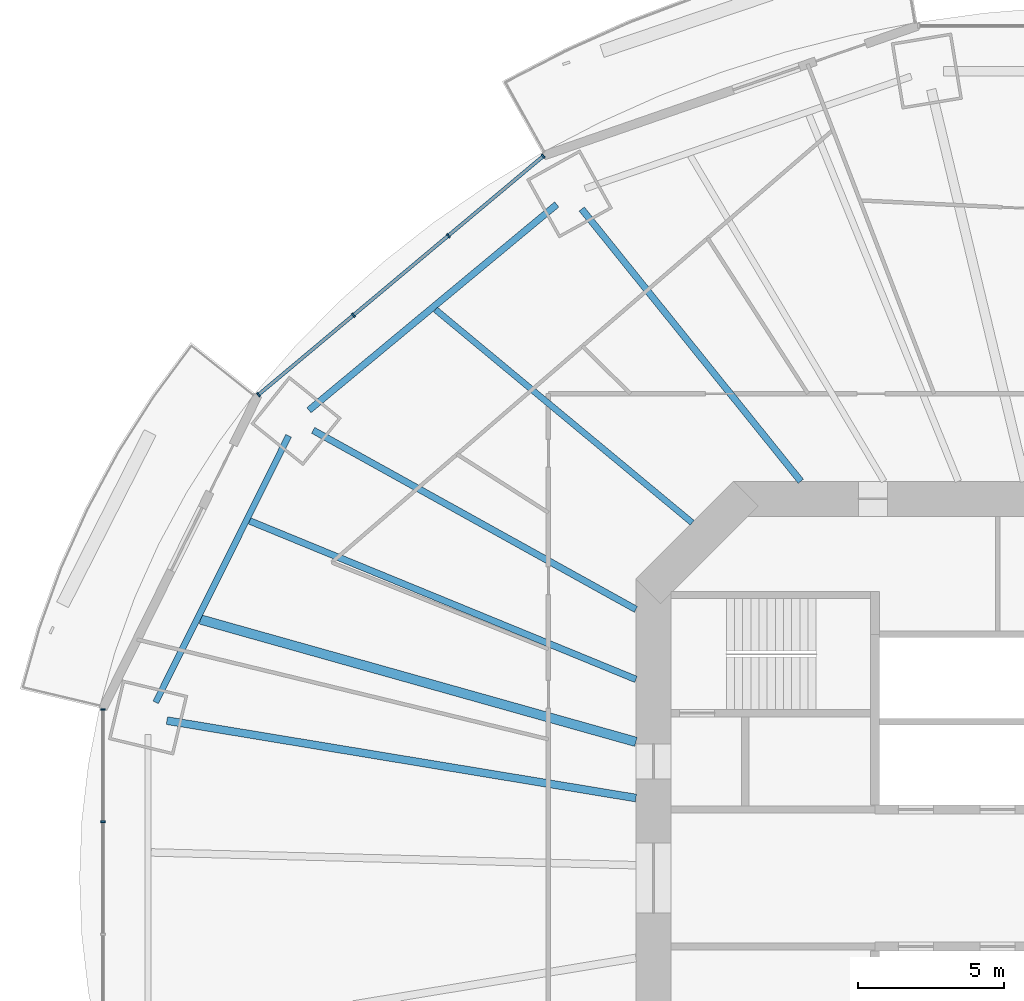
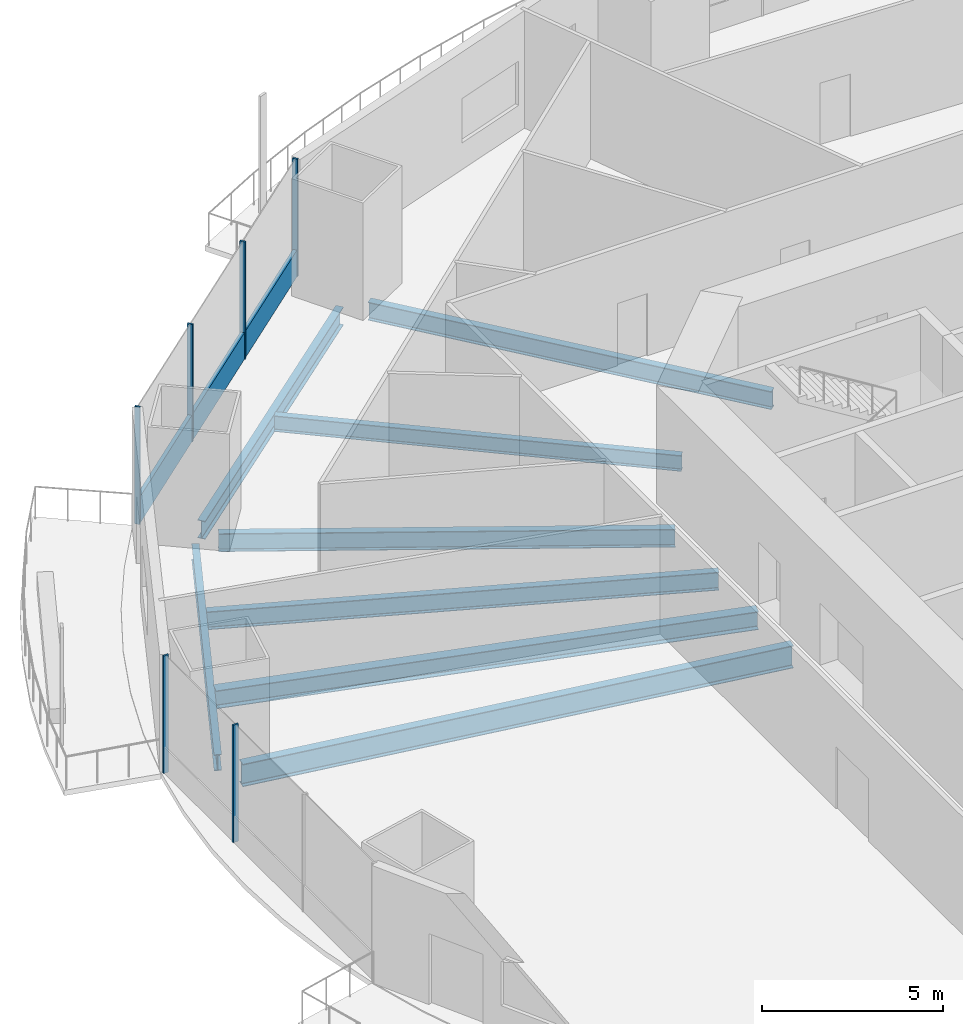
# One storey, part 6 of 22: 8 beams, 7 members, 2 elements without a shape of their own.
"""IFC4 building model written with IfcOpenShell, lengths in metres."""

from ifc_helpers import new_model, si_unit, direction, frame, origin, origin_2d, place, context, subcontext, project, spatial, rectangle, i_section, extrude, material, material_profile, profile_set, type_object, element, aggregate, save


model = new_model("IFC4")

# Units and contexts
model_context = context("Model", 3, precision=1e-05, world=origin(), true_north=direction((0.0, 1.0)))
body_context = subcontext(model_context, "Body", "Model", "MODEL_VIEW")
ifc_project = project(units=[si_unit("LENGTHUNIT", "METRE"), si_unit("AREAUNIT", "SQUARE_METRE"), si_unit("VOLUMEUNIT", "CUBIC_METRE"), si_unit("PLANEANGLEUNIT", "RADIAN"), si_unit("MASSUNIT", "GRAM", prefix="KILO")], contexts=[model_context])

# Site, building, storey
site_placement = place(None, origin())
site = spatial("IfcSite", under=ifc_project, at=site_placement, CompositionType="ELEMENT")
building_placement = place(site_placement, origin())
building = spatial("IfcBuilding", under=site, at=building_placement, Name="Marenthal Gate Tower", CompositionType="ELEMENT")
storey_placement = place(building_placement, frame((0.0, 0.0, 70.35009765625)))
storey = spatial("IfcBuildingStorey", under=building, at=storey_placement, Name="L13", CompositionType="ELEMENT", Elevation=70.35009765625)

# Curtain wall, members
ifc_material_1 = material(Name="Aluminium and glass", Category="aluminium")
curtain_wall_type = type_object("IfcCurtainWallType", Name="Curtain wall typical low", PredefinedType="NOTDEFINED", material=ifc_material_1)
curtain_wall_1_placement = place(storey_placement, origin())
curtain_wall_1 = element("IfcCurtainWall", 1, at=curtain_wall_1_placement, inside=storey, type_object=curtain_wall_type, Name="Curtain wall L13 bay 6", PredefinedType="NOTDEFINED")
ifc_material_2 = material(Name="Aluminium", Category="aluminium")
ifc_material_profile_1 = material_profile(ifc_material_2, rectangle(XDim=0.159912109375, YDim=0.06005859375, at=origin_2d()), Name="60x160 aluminium mullion")
ifc_profile_set_1 = profile_set([ifc_material_profile_1], Name="Aluminium")
member_type_1 = type_object("IfcMemberType", Name="Mullion 60x160 typical low", PredefinedType="MULLION", material=ifc_profile_set_1)
member_1_placement = place(storey_placement, frame((-19.775146484375, 24.7451171875, 0.0), z_axis=(0.0, 0.0, 1.0), x_axis=(0.642176178992, -0.76655707885, 0.0)))
member_1 = element("IfcMember", 2, at=member_1_placement, type_object=member_type_1, Name="Mullion L13 bay 6.1", PredefinedType="MULLION", context=body_context, shape_type="SweptSolid", body=[
    extrude(rectangle(XDim=0.159912109375, YDim=0.06005859375, at=origin_2d()), origin(), (0.0, 0.0, 1.0), 3.969970703125),
])
member_2_placement = place(storey_placement, frame((-23.029541015625, 22.01904296875, 0.0), z_axis=(0.0, 0.0, 1.0), x_axis=(0.642176178992, -0.76655707885, 0.0)))
member_2 = element("IfcMember", 3, at=member_2_placement, type_object=member_type_1, Name="Mullion L13 bay 6.2", PredefinedType="MULLION", context=body_context, shape_type="SweptSolid", body=[
    extrude(rectangle(XDim=0.159912109375, YDim=0.06005859375, at=origin_2d()), origin(), (0.0, 0.0, 1.0), 3.969970703125),
])
member_3_placement = place(storey_placement, frame((-26.283935546875, 19.292724609375, 0.0), z_axis=(0.0, 0.0, 1.0), x_axis=(0.642176178992, -0.76655707885, 0.0)))
member_3 = element("IfcMember", 4, at=member_3_placement, type_object=member_type_1, Name="Mullion L13 bay 6.3", PredefinedType="MULLION", context=body_context, shape_type="SweptSolid", body=[
    extrude(rectangle(XDim=0.159912109375, YDim=0.06005859375, at=origin_2d()), origin(), (0.0, 0.0, 1.0), 3.969970703125),
])
member_4_placement = place(storey_placement, frame((-29.538330078125, 16.56640625, 0.0), z_axis=(0.0, 0.0, 1.0), x_axis=(0.642176178992, -0.76655707885, 0.0)))
member_4 = element("IfcMember", 5, at=member_4_placement, type_object=member_type_1, Name="Mullion L13 bay 6.4", PredefinedType="MULLION", context=body_context, shape_type="SweptSolid", body=[
    extrude(rectangle(XDim=0.159912109375, YDim=0.06005859375, at=origin_2d()), origin(), (0.0, 0.0, 1.0), 3.969970703125),
])

curtain_wall_2_placement = place(storey_placement, origin())
curtain_wall_2 = element("IfcCurtainWall", 6, at=curtain_wall_2_placement, inside=storey, type_object=curtain_wall_type, Name="Curtain wall L13 bay 8", PredefinedType="NOTDEFINED")
member_5_placement = place(storey_placement, frame((-34.869873046875, 5.780517578125, 0.0), z_axis=(0.0, 0.0, 1.0), x_axis=(1.0, 0.0, 0.0)))
member_5 = element("IfcMember", 7, at=member_5_placement, type_object=member_type_1, Name="Mullion L13 bay 8.1", PredefinedType="MULLION", context=body_context, shape_type="SweptSolid", body=[
    extrude(rectangle(XDim=0.159912109375, YDim=0.06005859375, at=origin_2d()), origin(), (0.0, 0.0, 1.0), 3.969970703125),
])
member_6_placement = place(storey_placement, frame((-34.869873046875, 1.927001953125, 0.0), z_axis=(0.0, 0.0, 1.0), x_axis=(1.0, 0.0, 0.0)))
member_6 = element("IfcMember", 8, at=member_6_placement, type_object=member_type_1, Name="Mullion L13 bay 8.2", PredefinedType="MULLION", context=body_context, shape_type="SweptSolid", body=[
    extrude(rectangle(XDim=0.159912109375, YDim=0.06005859375, at=origin_2d()), origin(), (0.0, 0.0, 1.0), 3.969970703125),
])
aggregate(curtain_wall_2, [member_5, member_6])

# Member
ifc_material_3 = material(Name="Aluminium", Category="aluminium")
ifc_material_profile_2 = material_profile(ifc_material_3, rectangle(XDim=0.1201171875, YDim=0.89990234375, at=origin_2d()), Name="120x900 aluminium transom")
ifc_profile_set_2 = profile_set([ifc_material_profile_2], Name="Aluminium")
member_type_2 = type_object("IfcMemberType", Name="Transom 120x900 typical low", PredefinedType="USERDEFINED", material=ifc_profile_set_2)
member_7_placement = place(storey_placement, frame((-19.798095703125, 24.72607421875, 0.449951171875), z_axis=(-0.766556354324, -0.642177043849, 0.0), x_axis=(0.642177043849, -0.766556354324, 0.0)))
member_7 = element("IfcMember", 9, at=member_7_placement, type_object=member_type_2, Name="Transom L13 bay 6", ObjectType="TRANSOM", PredefinedType="USERDEFINED", context=body_context, shape_type="SweptSolid", body=[
    extrude(rectangle(XDim=0.1201171875, YDim=0.89990234375, at=origin_2d()), origin(), (0.0, 0.0, 1.0), 12.67626953125),
])

aggregate(curtain_wall_1, [member_1, member_2, member_3, member_4, member_7])

# Beams
ifc_material_4 = material(Name="Steel S355", Category="steel")
ifc_material_profile_3 = material_profile(ifc_material_4, i_section(OverallWidth=0.2099609375, OverallDepth=0.535888671875, WebThickness=0.010986328125, FlangeThickness=0.017333984375, FilletRadius=0.0126953125, at=origin_2d()), Name="W530X101")
ifc_profile_set_3 = profile_set([ifc_material_profile_3], Name="Steel S355")
beam_type_1 = type_object("IfcBeamType", Name="W530X101 beam", PredefinedType="BEAM", material=ifc_profile_set_3)
beam_1_placement = place(storey_placement, frame((-23.47119140625, 19.485595703125, -0.447998046875), z_axis=(0.769402561639, -0.638764196041, 0.0), x_axis=(0.638764196041, 0.769402561639, 0.0)))
element("IfcBeam", 10, at=beam_1_placement, inside=storey, type_object=beam_type_1, Name="BM-L13-25", PredefinedType="BEAM", context=body_context, shape_type="SweptSolid", body=[
    extrude(i_section(OverallWidth=0.2099609375, OverallDepth=0.535888671875, WebThickness=0.010986328125, FlangeThickness=0.017333984375, FilletRadius=0.0126953125, at=origin_2d()), origin(), (0.0, 0.0, 1.0), 11.439208984375),
])
ifc_material_5 = material(Name="Steel S355", Category="steel")
ifc_material_profile_4 = material_profile(ifc_material_5, i_section(OverallWidth=0.2119140625, OverallDepth=0.5439453125, WebThickness=0.01318359375, FlangeThickness=0.021240234375, FilletRadius=0.0126953125, at=origin_2d()), Name="W530X123")
ifc_profile_set_4 = profile_set([ifc_material_profile_4], Name="Steel S355")
beam_type_2 = type_object("IfcBeamType", Name="W530X123 beam", PredefinedType="BEAM", material=ifc_profile_set_4)
beam_2_placement = place(storey_placement, frame((-28.504150390625, 15.155029296875, -0.4521484375), z_axis=(-0.446448228661, -0.894809465264, 0.0), x_axis=(0.894809465264, -0.446448228661, 0.0)))
element("IfcBeam", 11, at=beam_2_placement, inside=storey, type_object=beam_type_2, Name="BM-L13-47", PredefinedType="BEAM", context=body_context, shape_type="SweptSolid", body=[
    extrude(i_section(OverallWidth=0.2119140625, OverallDepth=0.5439453125, WebThickness=0.01318359375, FlangeThickness=0.021240234375, FilletRadius=0.0126953125, at=origin_2d()), origin(), (0.0, 0.0, 1.0), 10.209716796875),
])
ifc_material_6 = material(Name="Steel S355", Category="steel")
ifc_material_profile_5 = material_profile(ifc_material_6, i_section(OverallWidth=0.22900390625, OverallDepth=0.612060546875, WebThickness=0.011962890625, FlangeThickness=0.01953125, FilletRadius=0.0126953125, at=origin_2d()), Name="W610X125")
ifc_profile_set_5 = profile_set([ifc_material_profile_5], Name="Steel S355")
beam_type_3 = type_object("IfcBeamType", Name="W610X125 beam", PredefinedType="BEAM", material=ifc_profile_set_5)
beam_3_placement = place(storey_placement, frame((-18.456298828125, 22.93115234375, -0.486083984375), z_axis=(0.62700397479, -0.779016056059, 0.0), x_axis=(0.779016056059, 0.62700397479, 0.0)))
element("IfcBeam", 12, at=beam_3_placement, inside=storey, type_object=beam_type_3, Name="BM-L13-06", PredefinedType="BEAM", context=body_context, shape_type="SweptSolid", body=[
    extrude(i_section(OverallWidth=0.22900390625, OverallDepth=0.612060546875, WebThickness=0.011962890625, FlangeThickness=0.01953125, FilletRadius=0.0126953125, at=origin_2d()), origin(), (0.0, 0.0, 1.0), 11.97802734375),
])
beam_4_placement = place(storey_placement, frame((-27.6640625, 15.345703125, -0.486083984375), z_axis=(0.874465657006, -0.485087429972, 0.0), x_axis=(0.485087429972, 0.874465657006, 0.0)))
element("IfcBeam", 13, at=beam_4_placement, inside=storey, type_object=beam_type_3, Name="BM-L13-07", PredefinedType="BEAM", context=body_context, shape_type="SweptSolid", body=[
    extrude(i_section(OverallWidth=0.22900390625, OverallDepth=0.612060546875, WebThickness=0.011962890625, FlangeThickness=0.01953125, FilletRadius=0.0126953125, at=origin_2d()), origin(), (0.0, 0.0, 1.0), 12.65234375),
])
beam_5_placement = place(storey_placement, frame((-29.840087890625, 12.239990234375, -0.486083984375), z_axis=(0.925190275705, -0.379503562225, 0.0), x_axis=(0.379503562225, 0.925190275705, 0.0)))
element("IfcBeam", 14, at=beam_5_placement, inside=storey, type_object=beam_type_3, Name="BM-L13-26", PredefinedType="BEAM", context=body_context, shape_type="SweptSolid", body=[
    extrude(i_section(OverallWidth=0.22900390625, OverallDepth=0.612060546875, WebThickness=0.011962890625, FlangeThickness=0.01953125, FilletRadius=0.0126953125, at=origin_2d()), origin(), (0.0, 0.0, 1.0), 14.310546875),
])
beam_6_placement = place(storey_placement, frame((-19.311767578125, 23.087646484375, -0.486083984375), z_axis=(-0.769405168871, -0.638761055571, 0.0), x_axis=(0.638761055571, -0.769405168871, 0.0)))
element("IfcBeam", 15, at=beam_6_placement, inside=storey, type_object=beam_type_3, Name="BM-L13-46", PredefinedType="BEAM", context=body_context, shape_type="SweptSolid", body=[
    extrude(i_section(OverallWidth=0.22900390625, OverallDepth=0.612060546875, WebThickness=0.011962890625, FlangeThickness=0.01953125, FilletRadius=0.0126953125, at=origin_2d()), origin(), (0.0, 0.0, 1.0), 11.04248046875),
])
ifc_material_7 = material(Name="Steel S355", Category="steel")
ifc_material_profile_6 = material_profile(ifc_material_7, i_section(OverallWidth=0.324951171875, OverallDepth=0.612060546875, WebThickness=0.0126953125, FlangeThickness=0.01904296875, FilletRadius=0.0126953125, at=origin_2d()), Name="W610X155")
ifc_profile_set_6 = profile_set([ifc_material_profile_6], Name="Steel S355")
beam_type_4 = type_object("IfcBeamType", Name="W610X155 beam", PredefinedType="BEAM", material=ifc_profile_set_6)
beam_7_placement = place(storey_placement, frame((-31.525390625, 8.862060546875, -0.486083984375), z_axis=(0.962687612966, -0.270615150797, 0.0), x_axis=(0.270615150797, 0.962687612966, 0.0)))
element("IfcBeam", 16, at=beam_7_placement, inside=storey, type_object=beam_type_4, Name="BM-L13-27", PredefinedType="BEAM", context=body_context, shape_type="SweptSolid", body=[
    extrude(i_section(OverallWidth=0.324951171875, OverallDepth=0.612060546875, WebThickness=0.0126953125, FlangeThickness=0.01904296875, FilletRadius=0.0126953125, at=origin_2d()), origin(), (0.0, 0.0, 1.0), 15.503662109375),
])
ifc_material_8 = material(Name="Steel S355", Category="steel")
ifc_material_profile_7 = material_profile(ifc_material_8, i_section(OverallWidth=0.26708984375, OverallDepth=0.761962890625, WebThickness=0.014404296875, FlangeThickness=0.021484375, FilletRadius=0.0166015625, at=origin_2d()), Name="W760X173")
ifc_profile_set_7 = profile_set([ifc_material_profile_7], Name="Steel S355")
beam_type_5 = type_object("IfcBeamType", Name="W760X173 beam", PredefinedType="BEAM", material=ifc_profile_set_7)
beam_8_placement = place(storey_placement, frame((-32.676025390625, 5.39599609375, -0.56103515625), z_axis=(0.986637030798, -0.162933635137, 0.0), x_axis=(0.162933635137, 0.986637030798, 0.0)))
element("IfcBeam", 17, at=beam_8_placement, inside=storey, type_object=beam_type_5, Name="BM-L13-08", PredefinedType="BEAM", context=body_context, shape_type="SweptSolid", body=[
    extrude(i_section(OverallWidth=0.26708984375, OverallDepth=0.761962890625, WebThickness=0.014404296875, FlangeThickness=0.021484375, FilletRadius=0.0166015625, at=origin_2d()), origin(), (0.0, 0.0, 1.0), 16.293701171875),
])

save(model, "model.ifc")
